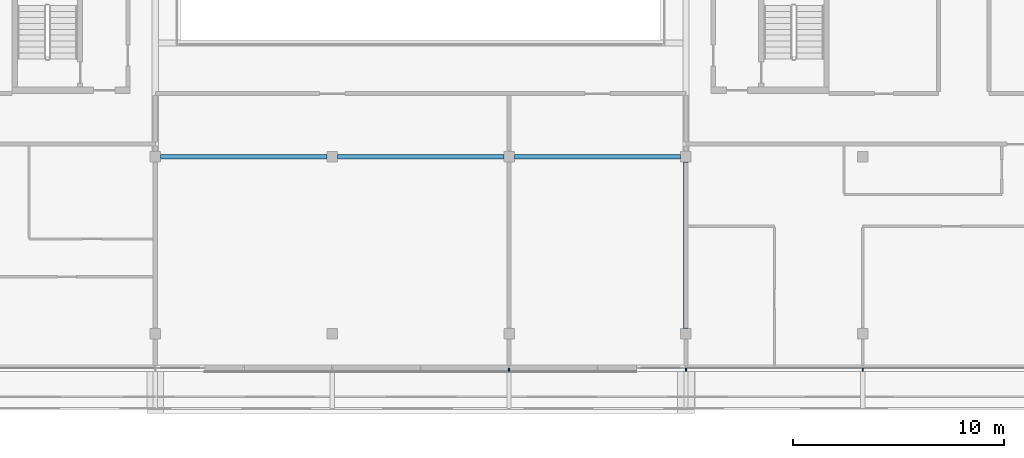
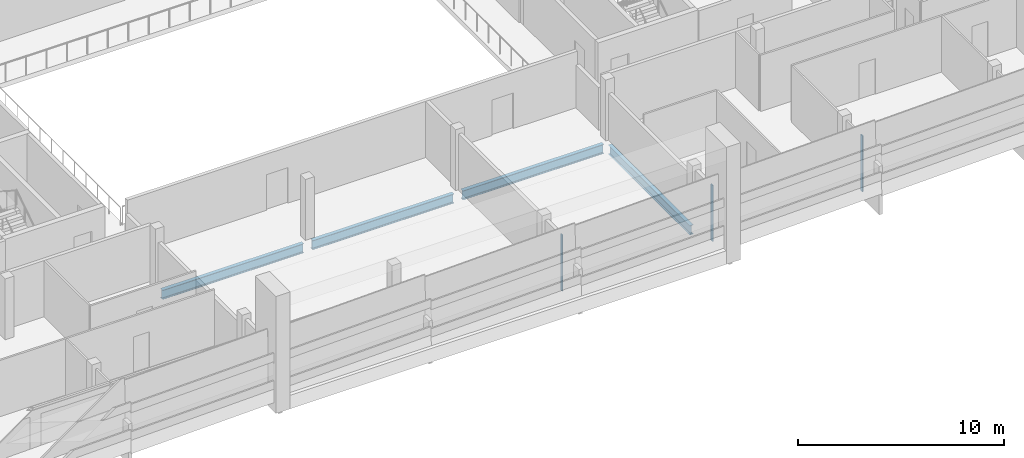
# One storey, part 7 of 33: 4 beams, 3 members, 1 element without a shape of its own.
"""IFC4 building model written with IfcOpenShell, lengths in metres."""

from ifc_helpers import new_model, si_unit, direction, frame, origin, origin_2d, place, context, subcontext, project, spatial, rectangle, i_section, extrude, material, material_profile, profile_set, type_object, element, aggregate, save


model = new_model("IFC4")

# Units and contexts
model_context = context("Model", 3, precision=1e-05, world=origin(), true_north=direction((0.0, 1.0)))
body_context = subcontext(model_context, "Body", "Model", "MODEL_VIEW")
ifc_project = project(units=[si_unit("LENGTHUNIT", "METRE"), si_unit("AREAUNIT", "SQUARE_METRE"), si_unit("VOLUMEUNIT", "CUBIC_METRE"), si_unit("PLANEANGLEUNIT", "RADIAN"), si_unit("MASSUNIT", "GRAM", prefix="KILO")], contexts=[model_context])

# Site, building, storey
site_placement = place(None, origin())
site = spatial("IfcSite", under=ifc_project, at=site_placement, CompositionType="ELEMENT")
building_placement = place(site_placement, origin())
building = spatial("IfcBuilding", under=site, at=building_placement, Name="Saffron Gate Tower", CompositionType="ELEMENT")
storey_placement = place(building_placement, frame((0.0, 0.0, 263.550048828125)))
storey = spatial("IfcBuildingStorey", under=building, at=storey_placement, Name="L63", CompositionType="ELEMENT", Elevation=263.550048828125)

# Beams
ifc_material_1 = material(Name="Structural steel S355", Category="steel")
ifc_material_profile_1 = material_profile(ifc_material_1, i_section(OverallWidth=0.2099609375, OverallDepth=0.550048828125, WebThickness=0.010986328125, FlangeThickness=0.01708984375, FilletRadius=0.02392578125, at=origin_2d()))
ifc_profile_set_1 = profile_set([ifc_material_profile_1], Name="Structural steel S355")
beam_type = type_object("IfcBeamType", Name="B12 IPE 550", PredefinedType="BEAM", material=ifc_profile_set_1)
for number, where, z_axis, x_axis, name in (
    (1, (100.199951171875, 32.050048828125, -0.554931640625), (0.0, 1.0, 0.0), (-1.0, 0.0, 0.0), "B12 FLOOR GIRDER"),
    (2, (75.25, 40.199951171875, -0.554931640625), (1.0, 0.0, 0.0), (0.0, 1.0, 0.0), "B12 FLOOR GIRDER"),
):
    element("IfcBeam", number, at=place(storey_placement, frame(where, z_axis=z_axis, x_axis=x_axis)), inside=storey, type_object=beam_type, Name=name, PredefinedType="BEAM", context=body_context, shape_type="SweptSolid", body=[
        extrude(i_section(OverallWidth=0.2099609375, OverallDepth=0.550048828125, WebThickness=0.010986328125, FlangeThickness=0.01708984375, FilletRadius=0.02392578125, at=origin_2d()), origin(), (0.0, 0.0, 1.0), 7.89990234375),
    ])
beam_1_placement = place(storey_placement, frame((83.64990234375, 40.199951171875, -0.554931640625), z_axis=(1.0, 0.0, 0.0), x_axis=(0.0, 1.0, 0.0)))
element("IfcBeam", 3, at=beam_1_placement, inside=storey, type_object=beam_type, Name="B12 FLOOR GIRDER", PredefinedType="BEAM", context=body_context, shape_type="SweptSolid", body=[
    extrude(i_section(OverallWidth=0.2099609375, OverallDepth=0.550048828125, WebThickness=0.010986328125, FlangeThickness=0.01708984375, FilletRadius=0.02392578125, at=origin_2d()), origin(), (0.0, 0.0, 1.0), 7.900146484375),
])
beam_2_placement = place(storey_placement, frame((92.050048828125, 40.199951171875, -0.554931640625), z_axis=(1.0, 0.0, 0.0), x_axis=(0.0, 1.0, 0.0)))
element("IfcBeam", 4, at=beam_2_placement, inside=storey, type_object=beam_type, Name="B12 FLOOR GIRDER", PredefinedType="BEAM", context=body_context, shape_type="SweptSolid", body=[
    extrude(i_section(OverallWidth=0.2099609375, OverallDepth=0.550048828125, WebThickness=0.010986328125, FlangeThickness=0.01708984375, FilletRadius=0.02392578125, at=origin_2d()), origin(), (0.0, 0.0, 1.0), 7.89990234375),
])

# Curtain wall, members
ifc_material_2 = material(Name="Aluminium, bronze anodised", Category="aluminium")
curtain_wall_type = type_object("IfcCurtainWallType", Name="CWS1 curtain wall front facade", PredefinedType="NOTDEFINED", material=ifc_material_2)
curtain_wall_placement = place(storey_placement, origin())
curtain_wall = element("IfcCurtainWall", 5, at=curtain_wall_placement, inside=storey, type_object=curtain_wall_type, Name="CWS1 run 1", PredefinedType="NOTDEFINED")
ifc_material_profile_2 = material_profile(ifc_material_2, rectangle(XDim=0.159912109375, YDim=0.06005859375, at=origin_2d()))
ifc_profile_set_2 = profile_set([ifc_material_profile_2], Name="Aluminium, bronze anodised")
member_type = type_object("IfcMemberType", Name="CWS1 mullion 60x160", PredefinedType="MULLION", material=ifc_profile_set_2)
member_1_placement = place(storey_placement, frame((91.800048828125, 30.080078125, 0.0), z_axis=(0.0, 0.0, 1.0), x_axis=(0.0, 1.0, 0.0)))
member_1 = element("IfcMember", 6, at=member_1_placement, type_object=member_type, Name="CWS1 mullion 6", PredefinedType="MULLION", context=body_context, shape_type="SweptSolid", body=[
    extrude(rectangle(XDim=0.159912109375, YDim=0.06005859375, at=origin_2d()), origin(), (0.0, 0.0, 1.0), 3.320068359375),
])
member_2_placement = place(storey_placement, frame((100.199951171875, 30.080078125, 0.0), z_axis=(0.0, 0.0, 1.0), x_axis=(0.0, 1.0, 0.0)))
member_2 = element("IfcMember", 7, at=member_2_placement, type_object=member_type, Name="CWS1 mullion 7", PredefinedType="MULLION", context=body_context, shape_type="SweptSolid", body=[
    extrude(rectangle(XDim=0.159912109375, YDim=0.06005859375, at=origin_2d()), origin(), (0.0, 0.0, 1.0), 3.320068359375),
])
member_3_placement = place(storey_placement, frame((108.60009765625, 30.080078125, 0.0), z_axis=(0.0, 0.0, 1.0), x_axis=(0.0, 1.0, 0.0)))
member_3 = element("IfcMember", 8, at=member_3_placement, type_object=member_type, Name="CWS1 mullion 8", PredefinedType="MULLION", context=body_context, shape_type="SweptSolid", body=[
    extrude(rectangle(XDim=0.159912109375, YDim=0.06005859375, at=origin_2d()), origin(), (0.0, 0.0, 1.0), 3.320068359375),
])
aggregate(curtain_wall, [member_1, member_2, member_3])

save(model, "model.ifc")
